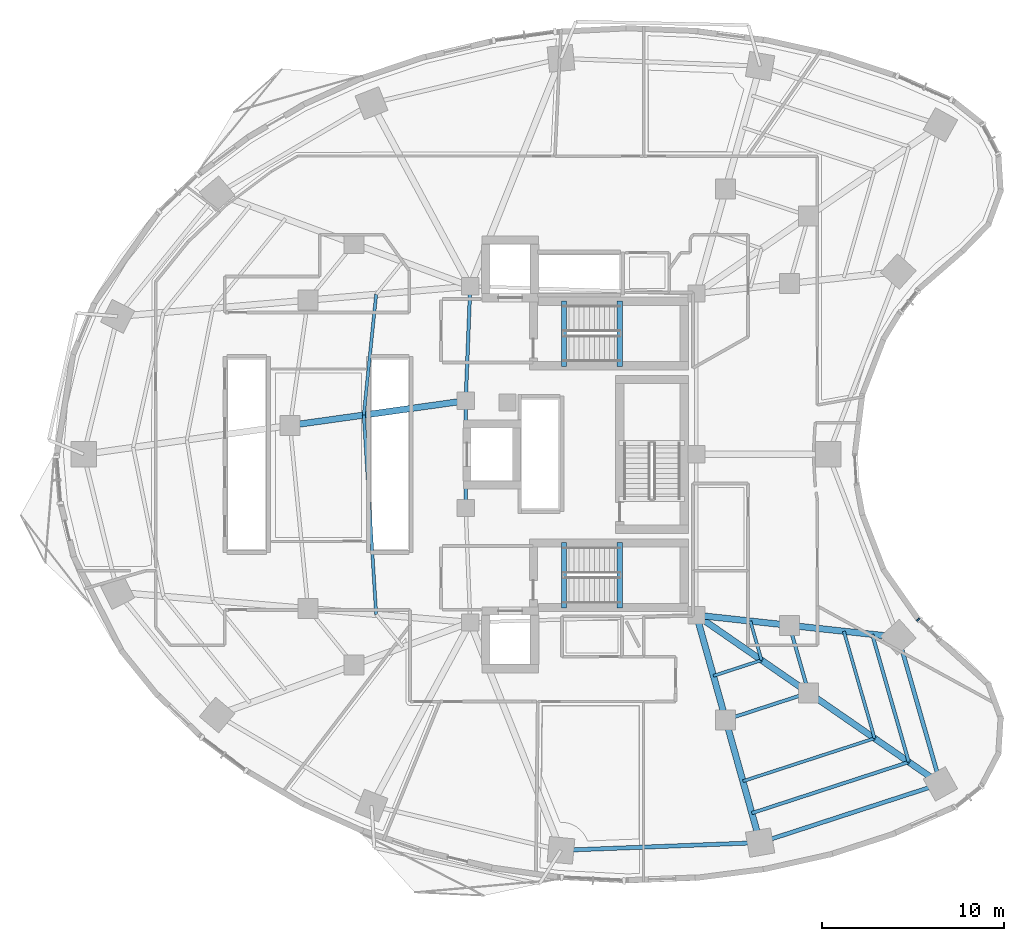
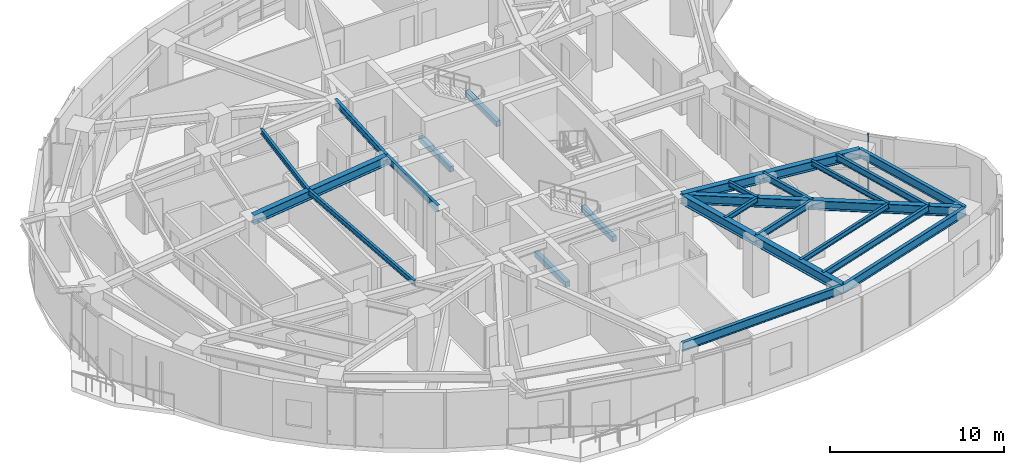
# One storey, part 3 of 15: 26 beams, 1 member, 1 element without a shape of its own.
"""IFC4 building model written with IfcOpenShell, lengths in metres."""

import ifcopenshell
import ifcopenshell.guid

model = None  # the IFC model being written
_history = None  # IfcOwnerHistory: only IFC2X3 demands one
_inside = {}  # id of a spatial element -> (the spatial element, [elements in it])
_under = {}  # id of a project, library or spatial element -> (it, [spatial elements below it])
_declared = {}  # id of a project -> (the project, [libraries it declares])
_typed = {}  # id of a type object -> (the type object, [elements of that type])
_made_of = {}  # id of a material, layer set ... -> (it, [elements and type objects made of it])


def new_model(schema):
    """Start an empty IFC model of exactly this schema.

    Asked for "IFC4X3", IfcOpenShell would pick the latest addendum, in which some entities
    have other attributes; the version numbers below select the first issue.
    IFC2X3 requires an IfcOwnerHistory on every rooted entity: one is made here for all.
    """
    global model, _history
    if schema == "IFC4X3":
        model = ifcopenshell.file(schema_version=(4, 3, 0, 0))
    else:
        model = ifcopenshell.file(schema=schema)
    _inside.clear()
    _under.clear()
    _declared.clear()
    _typed.clear()
    _made_of.clear()
    _history = None
    if model.schema == "IFC2X3":
        org = make("IfcOrganization", Name="unknown")
        user = make(
            "IfcPersonAndOrganization",
            ThePerson=make("IfcPerson", FamilyName="unknown"),
            TheOrganization=org,
        )
        app = make(
            "IfcApplication",
            ApplicationDeveloper=org,
            Version="unknown",
            ApplicationFullName="unknown",
            ApplicationIdentifier="unknown",
        )
        _history = make(
            "IfcOwnerHistory",
            OwningUser=user,
            OwningApplication=app,
            ChangeAction="ADDED",
            CreationDate=0,
        )
    return model


def make(cls, **values):
    """One entity of the class cls with the attributes given. An attribute that is None is left unset."""
    return model.create_entity(
        cls, **{name: value for name, value in values.items() if value is not None}
    )


def rooted(cls, **values):
    """An entity with a GlobalId (a new one), such as an element, a storey or a relation."""
    return make(cls, GlobalId=ifcopenshell.guid.new(), OwnerHistory=_history, **values)


def si_unit(unit_type, name, prefix=None):
    """IfcSIUnit, for example si_unit("LENGTHUNIT", "METRE", prefix="MILLI")."""
    return make("IfcSIUnit", UnitType=unit_type, Prefix=prefix, Name=name)


def assignment(units):
    """IfcUnitAssignment: the units of a project."""
    return None if units is None else make("IfcUnitAssignment", Units=units)


def point(xyz):
    """IfcCartesianPoint."""
    return None if xyz is None else make("IfcCartesianPoint", Coordinates=xyz)


def direction(xyz):
    """IfcDirection."""
    return None if xyz is None else make("IfcDirection", DirectionRatios=xyz)


def frame(location, z_axis=None, x_axis=None):
    """IfcAxis2Placement3D, a coordinate frame: its origin and axes. An axis left out is left unset."""
    return make(
        "IfcAxis2Placement3D",
        Location=point(location),
        Axis=direction(z_axis),
        RefDirection=direction(x_axis),
    )


def frame_2d(location, x_axis=None):
    """IfcAxis2Placement2D, a coordinate frame in the plane: its origin and x axis."""
    return make(
        "IfcAxis2Placement2D", Location=point(location), RefDirection=direction(x_axis)
    )


def origin():
    """The frame at (0, 0, 0) with its axes left unset."""
    return frame((0.0, 0.0, 0.0))


def origin_2d():
    """The frame at (0, 0) in the plane with its x axis left unset."""
    return frame_2d((0.0, 0.0))


def place(relative_to, where):
    """IfcLocalPlacement: puts the frame where relative to a parent placement (None: the world)."""
    return make(
        "IfcLocalPlacement", PlacementRelTo=relative_to, RelativePlacement=where
    )


def context(
    kind, dimensions, precision=None, world=None, true_north=None, identifier=None
):
    """IfcGeometricRepresentationContext, for example the 3D "Model" context."""
    return make(
        "IfcGeometricRepresentationContext",
        ContextIdentifier=identifier,
        ContextType=kind,
        CoordinateSpaceDimension=dimensions,
        Precision=precision,
        WorldCoordinateSystem=world,
        TrueNorth=true_north,
    )


def subcontext(parent, identifier, kind, view, scale=None):
    """IfcGeometricRepresentationSubContext, for example "Body" below "Model"."""
    return make(
        "IfcGeometricRepresentationSubContext",
        ContextIdentifier=identifier,
        ContextType=kind,
        ParentContext=parent,
        TargetScale=scale,
        TargetView=view,
    )


def project(units=None, contexts=None):
    """IfcProject with its units and contexts."""
    return rooted(
        "IfcProject",
        Name="project",
        RepresentationContexts=contexts,
        UnitsInContext=assignment(units),
    )


def spatial(cls, under=None, at=None, **own):
    """A site, building, storey or space (cls), placed at a placement, below another one or the project."""
    s = rooted(cls, ObjectPlacement=at, **own)
    if under is not None:
        _under.setdefault(under.id(), (under, []))[1].append(s)
    return s


def profile(cls, at=None, kind="AREA", **sizes):
    """A parametric profile (cls). Its sizes go by their IFC names, for example OverallWidth=200.0."""
    return make(cls, ProfileType=kind, Position=at, **sizes)


def rectangle(**sizes):
    """IfcRectangleProfileDef."""
    return profile("IfcRectangleProfileDef", **sizes)


def i_section(**sizes):
    """IfcIShapeProfileDef."""
    return profile("IfcIShapeProfileDef", **sizes)


def extrude(swept, where, along, depth):
    """IfcExtrudedAreaSolid: the profile swept, set in the frame where, extruded along a direction by depth."""
    return make(
        "IfcExtrudedAreaSolid",
        SweptArea=swept,
        Position=where,
        ExtrudedDirection=direction(along),
        Depth=depth,
    )


def shape(context_of_items, identifier, shape_type, items):
    """IfcShapeRepresentation: the items that make up one representation, for example the "Body"."""
    return make(
        "IfcShapeRepresentation",
        ContextOfItems=context_of_items,
        RepresentationIdentifier=identifier,
        RepresentationType=shape_type,
        Items=items,
    )


def material(Name=None, Category=None):
    """IfcMaterial."""
    return make("IfcMaterial", Name=Name, Category=Category)


def layer(
    of_material, thickness, ventilated=None, Name=None, Category=None, Priority=None
):
    """IfcMaterialLayer: one layer of a wall or slab, of a material (None: an air gap)."""
    return make(
        "IfcMaterialLayer",
        Material=of_material,
        LayerThickness=thickness,
        IsVentilated=ventilated,
        Name=Name,
        Category=Category,
        Priority=Priority,
    )


def layer_set(layers, Name=None):
    """IfcMaterialLayerSet."""
    return make("IfcMaterialLayerSet", MaterialLayers=layers, LayerSetName=Name)


def material_profile(
    of_material, cross_section, Name=None, Category=None, Priority=None
):
    """IfcMaterialProfile: a cross section and its material."""
    return make(
        "IfcMaterialProfile",
        Name=Name,
        Material=of_material,
        Profile=cross_section,
        Priority=Priority,
        Category=Category,
    )


def profile_set(profiles, Name=None, composite=None):
    """IfcMaterialProfileSet."""
    return make(
        "IfcMaterialProfileSet",
        Name=Name,
        MaterialProfiles=profiles,
        CompositeProfile=composite,
    )


def made_of(thing, what):
    """Note that an element or type object is made of a material, layer set ...; save() writes the relation."""
    if what is not None:
        _made_of.setdefault(what.id(), (what, []))[1].append(thing)
    return thing


def type_object(cls, material=None, **own):
    """A type object (cls), such as IfcWallType, which elements share."""
    return made_of(rooted(cls, **own), material)


def element(
    cls,
    number,
    at=None,
    inside=None,
    cuts=None,
    type_object=None,
    material=None,
    context=None,
    identifier="Body",
    shape_type=None,
    held_by="IfcProductDefinitionShape",
    body=None,
    shapes=None,
    **own,
):
    """One element of the class cls, such as IfcWall. Its Tag is "e" and its number.

    at: its placement. inside: the storey or other place that contains it. cuts: it is an
    opening in that element (IfcRelVoidsElement). A single representation is given by context,
    identifier, shape_type and body (its items); several are given by shapes. held_by: the class
    of the entity that holds the representations. save() writes the other relations.
    """
    e = rooted(cls, Tag="e%d" % number, ObjectPlacement=at, **own)
    if body is not None:
        shapes = [shape(context, identifier, shape_type, body)]
    if shapes is not None:
        e.Representation = make(held_by, Representations=shapes)
    if inside is not None:
        _inside.setdefault(inside.id(), (inside, []))[1].append(e)
    if cuts is not None:
        rooted(
            "IfcRelVoidsElement", RelatingBuildingElement=cuts, RelatedOpeningElement=e
        )
    if type_object is not None:
        _typed.setdefault(type_object.id(), (type_object, []))[1].append(e)
    return made_of(e, material)


def aggregate(whole, parts):
    """IfcRelAggregates: a whole, such as a stair, and the parts it consists of."""
    return rooted("IfcRelAggregates", RelatingObject=whole, RelatedObjects=parts)


def save(model, path):
    """Write the relations noted so far, then the file.

    IfcRelAggregates (storeys below a building ...), IfcRelContainedInSpatialStructure (elements
    in a storey), IfcRelDefinesByType, IfcRelAssociatesMaterial and IfcRelDeclares: one each for
    every whole, place, type object, material and project.
    """
    for whole, parts in _under.values():
        aggregate(whole, parts)
    for where, things in _inside.values():
        rooted(
            "IfcRelContainedInSpatialStructure",
            RelatedElements=things,
            RelatingStructure=where,
        )
    for kind, things in _typed.values():
        rooted("IfcRelDefinesByType", RelatedObjects=things, RelatingType=kind)
    for what, things in _made_of.values():
        rooted("IfcRelAssociatesMaterial", RelatedObjects=things, RelatingMaterial=what)
    for by, libraries in _declared.values():
        rooted("IfcRelDeclares", RelatingContext=by, RelatedDefinitions=libraries)
    model.write(path)


model = new_model("IFC4")

# Units and contexts
model_context = context("Model", 3, precision=1e-05, world=origin(), true_north=direction((0.0, 1.0)))
body_context = subcontext(model_context, "Body", "Model", "MODEL_VIEW")
ifc_project = project(units=[si_unit("LENGTHUNIT", "METRE"), si_unit("AREAUNIT", "SQUARE_METRE"), si_unit("VOLUMEUNIT", "CUBIC_METRE"), si_unit("PLANEANGLEUNIT", "RADIAN"), si_unit("MASSUNIT", "GRAM", prefix="KILO")], contexts=[model_context])

# Site, building, storey
site_placement = place(None, origin())
site = spatial("IfcSite", under=ifc_project, at=site_placement, CompositionType="ELEMENT")
building_placement = place(site_placement, origin())
building = spatial("IfcBuilding", under=site, at=building_placement, Name="Korentha Bioscience Tower", CompositionType="ELEMENT")
storey_placement = place(building_placement, frame((0.0, 0.0, 38.39990234375)))
storey = spatial("IfcBuildingStorey", under=building, at=storey_placement, Name="L08", CompositionType="ELEMENT", Elevation=38.39990234375)

# Beams
ifc_material_1 = material(Name="Concrete C50", Category="concrete")
ifc_material_profile_1 = material_profile(ifc_material_1, rectangle(XDim=0.280029296875, YDim=0.3798828125, at=origin_2d()), Name="Concrete C50")
ifc_profile_set_1 = profile_set([ifc_material_profile_1], Name="Concrete C50 (ST-HB380)")
beam_type_1 = type_object("IfcBeamType", Name="Concrete Stair Header Beam RC 280x380", PredefinedType="BEAM", material=ifc_profile_set_1)
for number, where, z_axis, x_axis, name in (
    (1, (30.25, 31.85009765625, -0.18994140625), (0.0, 1.0, 0.0), (-1.0, 0.0, 0.0), "L08 ST-1 Concrete Stair Header Beam"),
    (2, (33.330078125, 31.85009765625, 1.91015625), (0.0, 1.0, 0.0), (-1.0, 0.0, 0.0), "L08 ST-1 Half-Landing Header Beam 1"),
    (3, (30.25, 18.550048828125, -0.18994140625), (0.0, 1.0, 0.0), (-1.0, 0.0, 0.0), "L08 ST-2 Concrete Stair Header Beam"),
    (4, (33.330078125, 18.550048828125, 1.91015625), (0.0, 1.0, 0.0), (-1.0, 0.0, 0.0), "L08 ST-2 Half-Landing Header Beam 1"),
):
    element("IfcBeam", number, at=place(storey_placement, frame(where, z_axis=z_axis, x_axis=x_axis)), inside=storey, type_object=beam_type_1, Name=name, PredefinedType="BEAM", context=body_context, shape_type="SweptSolid", body=[
        extrude(rectangle(XDim=0.280029296875, YDim=0.3798828125, at=origin_2d()), origin(), (0.0, 0.0, 1.0), 3.599853515625),
    ])
ifc_material_2 = material(Name="Steel S355", Category="steel")
ifc_material_profile_2 = material_profile(ifc_material_2, i_section(OverallWidth=0.18994140625, OverallDepth=0.45703125, WebThickness=0.009033203125, FlangeThickness=0.014404296875, at=origin_2d()), Name="Steel S355")
ifc_profile_set_2 = profile_set([ifc_material_profile_2], Name="Steel S355 (MB-460)")
beam_type_2 = type_object("IfcBeamType", Name="Mid-Ring Tie Girder W460x74", PredefinedType="BEAM", material=ifc_profile_set_2)
beam_1_placement = place(storey_placement, frame((39.1611328125, 12.392333984375, 3.671630859375), z_axis=(0.950877001105, 0.309568940253, 0.0), x_axis=(-0.309568940253, 0.950877001105, 0.0)))
element("IfcBeam", 5, at=beam_1_placement, inside=storey, type_object=beam_type_2, Name="L08 Mid-Ring Tie Girder 12", PredefinedType="BEAM", context=body_context, shape_type="SweptSolid", body=[
    extrude(i_section(OverallWidth=0.18994140625, OverallDepth=0.45703125, WebThickness=0.009033203125, FlangeThickness=0.014404296875, at=origin_2d()), origin(), (0.0, 0.0, 1.0), 4.80126953125),
])
beam_2_placement = place(storey_placement, frame((43.7265625, 13.878662109375, 3.671630859375), z_axis=(-0.27560557792, 0.961270807535, 0.0), x_axis=(-0.961270807535, -0.27560557792, 0.0)))
element("IfcBeam", 6, at=beam_2_placement, inside=storey, type_object=beam_type_2, Name="L08 Mid-Ring Tie Girder 13", PredefinedType="BEAM", context=body_context, shape_type="SweptSolid", body=[
    extrude(i_section(OverallWidth=0.18994140625, OverallDepth=0.45703125, WebThickness=0.009033203125, FlangeThickness=0.014404296875, at=origin_2d()), origin(), (0.0, 0.0, 1.0), 3.864013671875),
])
beam_3_placement = place(storey_placement, frame((25.10009765625, 36.25, 3.671630859375), z_axis=(-0.039651025576, -0.999213588864, 0.0), x_axis=(0.999213588864, -0.039651025576, 0.0)))
element("IfcBeam", 7, at=beam_3_placement, inside=storey, type_object=beam_type_2, Name="L08 Core Ring Tie Girder 02", PredefinedType="BEAM", context=body_context, shape_type="SweptSolid", body=[
    extrude(i_section(OverallWidth=0.18994140625, OverallDepth=0.45703125, WebThickness=0.009033203125, FlangeThickness=0.014404296875, at=origin_2d()), origin(), (0.0, 0.0, 1.0), 6.304931640625),
])
beam_4_placement = place(storey_placement, frame((24.85009765625, 29.949951171875, 3.671630859375), z_axis=(0.0, -1.0, 0.0), x_axis=(1.0, 0.0, 0.0)))
element("IfcBeam", 8, at=beam_4_placement, inside=storey, type_object=beam_type_2, Name="L08 Core Ring Tie Girder 03", PredefinedType="BEAM", context=body_context, shape_type="SweptSolid", body=[
    extrude(i_section(OverallWidth=0.18994140625, OverallDepth=0.45703125, WebThickness=0.009033203125, FlangeThickness=0.014404296875, at=origin_2d()), origin(), (0.0, 0.0, 1.0), 5.89990234375),
])

# Curtain wall, member
ifc_material_3 = material(Name="Thermally Broken Aluminium Frame", Category="aluminium")
ifc_layer = layer(ifc_material_3, 0.219970703125, Name="Thermally Broken Aluminium Frame")
ifc_layer_set = layer_set([ifc_layer], Name="Thermally Broken Aluminium Frame (CW-T2)")
curtain_wall_type = type_object("IfcCurtainWallType", Name="Solar-Screened Lab Unitised Curtain Wall CW-T2", PredefinedType="USERDEFINED", material=ifc_layer_set)
curtain_wall_placement = place(storey_placement, origin())
curtain_wall = element("IfcCurtainWall", 9, at=curtain_wall_placement, inside=storey, type_object=curtain_wall_type, Name="L08 Curtain Wall 43", ObjectType="UNITISED", PredefinedType="USERDEFINED")
ifc_material_4 = material(Name="Anodised Aluminium 6063-T6", Category="aluminium")
ifc_material_profile_3 = material_profile(ifc_material_4, rectangle(XDim=0.090087890625, YDim=0.199951171875, at=origin_2d()), Name="Anodised Aluminium 6063-T6")
ifc_profile_set_3 = profile_set([ifc_material_profile_3], Name="Anodised Aluminium 6063-T6 (CW-MUL)")
member_type = type_object("IfcMemberType", Name="Mullion RECT 90x200", PredefinedType="MULLION", material=ifc_profile_set_3)
member_placement = place(storey_placement, frame((49.752685546875, 17.90625, 0.0), z_axis=(0.0, 0.0, 1.0), x_axis=(-0.713279246754, 0.700879958445, 0.0)))
member = element("IfcMember", 10, at=member_placement, type_object=member_type, Name="CW-L08-43 Mullion 2", PredefinedType="MULLION", context=body_context, shape_type="SweptSolid", body=[
    extrude(rectangle(XDim=0.090087890625, YDim=0.199951171875, at=origin_2d()), origin(), (0.0, 0.0, 1.0), 3.900146484375),
])
aggregate(curtain_wall, [member])

# Beams
ifc_material_profile_4 = material_profile(ifc_material_2, i_section(OverallWidth=0.22802734375, OverallDepth=0.60791015625, WebThickness=0.01123046875, FlangeThickness=0.017333984375, at=origin_2d()), Name="Steel S355")
ifc_profile_set_4 = profile_set([ifc_material_profile_4], Name="Steel S355 (SB-610)")
beam_type_3 = type_object("IfcBeamType", Name="Perimeter Ring Spandrel Girder W610x113", PredefinedType="SPANDREL", material=ifc_profile_set_4)
beam_5_placement = place(storey_placement, frame((30.09423828125, 5.20751953125, 3.59619140625), z_axis=(0.999246003889, 0.03882555488, 0.0), x_axis=(-0.03882555488, 0.999246003889, 0.0)))
element("IfcBeam", 11, at=beam_5_placement, inside=storey, type_object=beam_type_3, Name="L08 Perimeter Spandrel Girder 11", PredefinedType="SPANDREL", context=body_context, shape_type="SweptSolid", body=[
    extrude(i_section(OverallWidth=0.22802734375, OverallDepth=0.60791015625, WebThickness=0.01123046875, FlangeThickness=0.017333984375, at=origin_2d()), origin(), (0.0, 0.0, 1.0), 10.966552734375),
])
beam_6_placement = place(storey_placement, frame((41.052490234375, 5.63330078125, 3.59619140625), z_axis=(0.95087511444, 0.309574735305, 0.0), x_axis=(-0.309574735305, 0.95087511444, 0.0)))
element("IfcBeam", 12, at=beam_6_placement, inside=storey, type_object=beam_type_3, Name="L08 Perimeter Spandrel Girder 12", PredefinedType="SPANDREL", context=body_context, shape_type="SweptSolid", body=[
    extrude(i_section(OverallWidth=0.22802734375, OverallDepth=0.60791015625, WebThickness=0.01123046875, FlangeThickness=0.017333984375, at=origin_2d()), origin(), (0.0, 0.0, 1.0), 10.4375),
])
beam_7_placement = place(storey_placement, frame((50.977294921875, 8.864501953125, 3.59619140625), z_axis=(-0.275642273411, 0.961260285827, 0.0), x_axis=(-0.961260285827, -0.275642273411, 0.0)))
element("IfcBeam", 13, at=beam_7_placement, inside=storey, type_object=beam_type_3, Name="L08 Perimeter Spandrel Girder 13", PredefinedType="SPANDREL", context=body_context, shape_type="SweptSolid", body=[
    extrude(i_section(OverallWidth=0.22802734375, OverallDepth=0.60791015625, WebThickness=0.01123046875, FlangeThickness=0.017333984375, at=origin_2d()), origin(), (0.0, 0.0, 1.0), 8.400146484375),
])
ifc_material_profile_5 = material_profile(ifc_material_2, i_section(OverallWidth=0.18994140625, OverallDepth=0.45703125, WebThickness=0.009033203125, FlangeThickness=0.014404296875, at=origin_2d()), Name="Steel S355")
ifc_profile_set_5 = profile_set([ifc_material_profile_5], Name="Steel S355 (RB-460)")
beam_type_4 = type_object("IfcBeamType", Name="Radial Laboratory Beam W460x74", PredefinedType="BEAM", material=ifc_profile_set_5)
beam_8_placement = place(storey_placement, frame((40.5986328125, 7.255615234375, 3.671630859375), z_axis=(0.95087437499, 0.309577006554, 0.0), x_axis=(-0.309577006554, 0.95087437499, 0.0)))
element("IfcBeam", 14, at=beam_8_placement, inside=storey, type_object=beam_type_4, Name="L08 Secondary Floor Beam JSTO-12", PredefinedType="BEAM", context=body_context, shape_type="SweptSolid", body=[
    extrude(i_section(OverallWidth=0.18994140625, OverallDepth=0.45703125, WebThickness=0.009033203125, FlangeThickness=0.014404296875, at=origin_2d()), origin(), (0.0, 0.0, 1.0), 9.0849609375),
])
beam_9_placement = place(storey_placement, frame((49.2373046875, 10.068115234375, 3.671630859375), z_axis=(-0.275682421415, 0.961248772443, 0.0), x_axis=(-0.961248772443, -0.275682421415, 0.0)))
element("IfcBeam", 15, at=beam_9_placement, inside=storey, type_object=beam_type_4, Name="L08 Secondary Floor Beam JSTO-13", PredefinedType="BEAM", context=body_context, shape_type="SweptSolid", body=[
    extrude(i_section(OverallWidth=0.18994140625, OverallDepth=0.45703125, WebThickness=0.009033203125, FlangeThickness=0.014404296875, at=origin_2d()), origin(), (0.0, 0.0, 1.0), 7.3115234375),
])
ifc_material_profile_6 = material_profile(ifc_material_2, i_section(OverallWidth=0.35009765625, OverallDepth=0.64990234375, WebThickness=0.01611328125, FlangeThickness=0.02490234375, at=origin_2d()), Name="Steel S355")
ifc_profile_set_6 = profile_set([ifc_material_profile_6], Name="Steel S355 (RB-650)")
beam_type_5 = type_object("IfcBeamType", Name="Radial Laboratory Girder CVS 650x208", PredefinedType="BEAM", material=ifc_profile_set_6)
beam_10_placement = place(storey_placement, frame((24.85009765625, 29.949951171875, 3.5751953125), z_axis=(-0.990307253072, -0.138894004596, 0.0), x_axis=(0.138894004596, -0.990307253072, 0.0)))
element("IfcBeam", 16, at=beam_10_placement, inside=storey, type_object=beam_type_5, Name="L08 Inner Radial Girder 07", PredefinedType="BEAM", context=body_context, shape_type="SweptSolid", body=[
    extrude(i_section(OverallWidth=0.35009765625, OverallDepth=0.64990234375, WebThickness=0.01611328125, FlangeThickness=0.02490234375, at=origin_2d()), origin(), (0.0, 0.0, 1.0), 9.76611328125),
])
beam_11_placement = place(storey_placement, frame((37.550048828125, 18.14990234375, 3.5751953125), z_axis=(0.269469369205, -0.963008961049, 0.0), x_axis=(0.963008961049, 0.269469369205, 0.0)))
element("IfcBeam", 17, at=beam_11_placement, inside=storey, type_object=beam_type_5, Name="L08 Inner Radial Girder 12", PredefinedType="BEAM", context=body_context, shape_type="SweptSolid", body=[
    extrude(i_section(OverallWidth=0.35009765625, OverallDepth=0.64990234375, WebThickness=0.01611328125, FlangeThickness=0.02490234375, at=origin_2d()), origin(), (0.0, 0.0, 1.0), 5.978759765625),
])
beam_12_placement = place(storey_placement, frame((39.1611328125, 12.392333984375, 3.5751953125), z_axis=(0.269475095129, -0.963007358801, 0.0), x_axis=(0.963007358801, 0.269475095129, 0.0)))
element("IfcBeam", 18, at=beam_12_placement, inside=storey, type_object=beam_type_5, Name="L08 Outer Radial Girder 12", PredefinedType="BEAM", context=body_context, shape_type="SweptSolid", body=[
    extrude(i_section(OverallWidth=0.35009765625, OverallDepth=0.64990234375, WebThickness=0.01611328125, FlangeThickness=0.02490234375, at=origin_2d()), origin(), (0.0, 0.0, 1.0), 7.0185546875),
])
beam_13_placement = place(storey_placement, frame((37.550048828125, 18.14990234375, 3.5751953125), z_axis=(0.822491697625, -0.568777115694, 0.0), x_axis=(0.568777115694, 0.822491697625, 0.0)))
element("IfcBeam", 19, at=beam_13_placement, inside=storey, type_object=beam_type_5, Name="L08 Inner Radial Girder 13", PredefinedType="BEAM", context=body_context, shape_type="SweptSolid", body=[
    extrude(i_section(OverallWidth=0.35009765625, OverallDepth=0.64990234375, WebThickness=0.01611328125, FlangeThickness=0.02490234375, at=origin_2d()), origin(), (0.0, 0.0, 1.0), 7.509521484375),
])
beam_14_placement = place(storey_placement, frame((43.7265625, 13.878662109375, 3.5751953125), z_axis=(0.822488186113, -0.568782193555, 0.0), x_axis=(0.568782193555, 0.822488186113, 0.0)))
element("IfcBeam", 20, at=beam_14_placement, inside=storey, type_object=beam_type_5, Name="L08 Outer Radial Girder 13", PredefinedType="BEAM", context=body_context, shape_type="SweptSolid", body=[
    extrude(i_section(OverallWidth=0.35009765625, OverallDepth=0.64990234375, WebThickness=0.01611328125, FlangeThickness=0.02490234375, at=origin_2d()), origin(), (0.0, 0.0, 1.0), 8.815673828125),
])
beam_15_placement = place(storey_placement, frame((37.550048828125, 18.14990234375, 3.5751953125), z_axis=(0.994117709144, -0.10830503389, 0.0), x_axis=(0.10830503389, 0.994117709144, 0.0)))
element("IfcBeam", 21, at=beam_15_placement, inside=storey, type_object=beam_type_5, Name="L08 Inner Radial Girder 14", PredefinedType="BEAM", context=body_context, shape_type="SweptSolid", body=[
    extrude(i_section(OverallWidth=0.35009765625, OverallDepth=0.64990234375, WebThickness=0.01611328125, FlangeThickness=0.02490234375, at=origin_2d()), origin(), (0.0, 0.0, 1.0), 5.141845703125),
])
beam_16_placement = place(storey_placement, frame((42.66162109375, 17.593017578125, 3.5751953125), z_axis=(0.994115805925, -0.108322501862, 0.0), x_axis=(0.108322501862, 0.994115805925, 0.0)))
element("IfcBeam", 22, at=beam_16_placement, inside=storey, type_object=beam_type_5, Name="L08 Outer Radial Girder 14", PredefinedType="BEAM", context=body_context, shape_type="SweptSolid", body=[
    extrude(i_section(OverallWidth=0.35009765625, OverallDepth=0.64990234375, WebThickness=0.01611328125, FlangeThickness=0.02490234375, at=origin_2d()), origin(), (0.0, 0.0, 1.0), 6.03564453125),
])
ifc_material_profile_7 = material_profile(ifc_material_2, i_section(OverallWidth=0.1708984375, OverallDepth=0.35498046875, WebThickness=0.007080078125, FlangeThickness=0.01171875, at=origin_2d()), Name="Steel S355")
ifc_profile_set_7 = profile_set([ifc_material_profile_7], Name="Steel S355 (JB-360)")
beam_type_6 = type_object("IfcBeamType", Name="Secondary Laboratory Joist W360x51", PredefinedType="JOIST", material=ifc_profile_set_7)
beam_17_placement = place(storey_placement, frame((19.9228515625, 35.80859375, 3.72265625), z_axis=(-0.102144778597, -0.994769543264, 0.0), x_axis=(0.994769543264, -0.102144778597, 0.0)))
element("IfcBeam", 23, at=beam_17_placement, inside=storey, type_object=beam_type_6, Name="L08 Inner Bay Joist 06", PredefinedType="JOIST", context=body_context, shape_type="SweptSolid", body=[
    extrude(i_section(OverallWidth=0.1708984375, OverallDepth=0.35498046875, WebThickness=0.007080078125, FlangeThickness=0.01171875, at=origin_2d()), origin(), (0.0, 0.0, 1.0), 6.680419921875),
])
beam_18_placement = place(storey_placement, frame((19.240478515625, 29.1630859375, 3.72265625), z_axis=(0.062074098012, -0.998071543706, 0.0), x_axis=(0.998071543706, 0.062074098012, 0.0)))
element("IfcBeam", 24, at=beam_18_placement, inside=storey, type_object=beam_type_6, Name="L08 Inner Bay Joist 07", PredefinedType="JOIST", context=body_context, shape_type="SweptSolid", body=[
    extrude(i_section(OverallWidth=0.1708984375, OverallDepth=0.35498046875, WebThickness=0.007080078125, FlangeThickness=0.01171875, at=origin_2d()), origin(), (0.0, 0.0, 1.0), 10.992919921875),
])
beam_19_placement = place(storey_placement, frame((40.10693359375, 9.0126953125, 3.72265625), z_axis=(0.950870992772, 0.309587394938, 0.0), x_axis=(-0.309587394938, 0.950870992772, 0.0)))
element("IfcBeam", 25, at=beam_19_placement, inside=storey, type_object=beam_type_6, Name="L08 Secondary Floor Beam JST-12", PredefinedType="JOIST", context=body_context, shape_type="SweptSolid", body=[
    extrude(i_section(OverallWidth=0.1708984375, OverallDepth=0.35498046875, WebThickness=0.007080078125, FlangeThickness=0.01171875, at=origin_2d()), origin(), (0.0, 0.0, 1.0), 7.619384765625),
])
beam_20_placement = place(storey_placement, frame((38.484619140625, 14.810546875, 3.72265625), z_axis=(0.950869630746, 0.309591578254, 0.0), x_axis=(-0.309591578254, 0.950869630746, 0.0)))
element("IfcBeam", 26, at=beam_20_placement, inside=storey, type_object=beam_type_6, Name="L08 Inner Bay Joist 12", PredefinedType="JOIST", context=body_context, shape_type="SweptSolid", body=[
    extrude(i_section(OverallWidth=0.1708984375, OverallDepth=0.35498046875, WebThickness=0.007080078125, FlangeThickness=0.01171875, at=origin_2d()), origin(), (0.0, 0.0, 1.0), 2.784423828125),
])
beam_21_placement = place(storey_placement, frame((47.35205078125, 11.37158203125, 3.72265625), z_axis=(-0.275667500387, 0.96125305161, 0.0), x_axis=(-0.96125305161, -0.275667500387, 0.0)))
element("IfcBeam", 27, at=beam_21_placement, inside=storey, type_object=beam_type_6, Name="L08 Secondary Floor Beam JST-13", PredefinedType="JOIST", context=body_context, shape_type="SweptSolid", body=[
    extrude(i_section(OverallWidth=0.1708984375, OverallDepth=0.35498046875, WebThickness=0.007080078125, FlangeThickness=0.01171875, at=origin_2d()), origin(), (0.0, 0.0, 1.0), 6.132080078125),
])
beam_22_placement = place(storey_placement, frame((41.13232421875, 15.672607421875, 3.72265625), z_axis=(-0.275613067773, 0.961268660091, 0.0), x_axis=(-0.961268660091, -0.275613067773, 0.0)))
element("IfcBeam", 28, at=beam_22_placement, inside=storey, type_object=beam_type_6, Name="L08 Inner Bay Joist 13", PredefinedType="JOIST", context=body_context, shape_type="SweptSolid", body=[
    extrude(i_section(OverallWidth=0.1708984375, OverallDepth=0.35498046875, WebThickness=0.007080078125, FlangeThickness=0.01171875, at=origin_2d()), origin(), (0.0, 0.0, 1.0), 2.2412109375),
])

save(model, "model.ifc")
